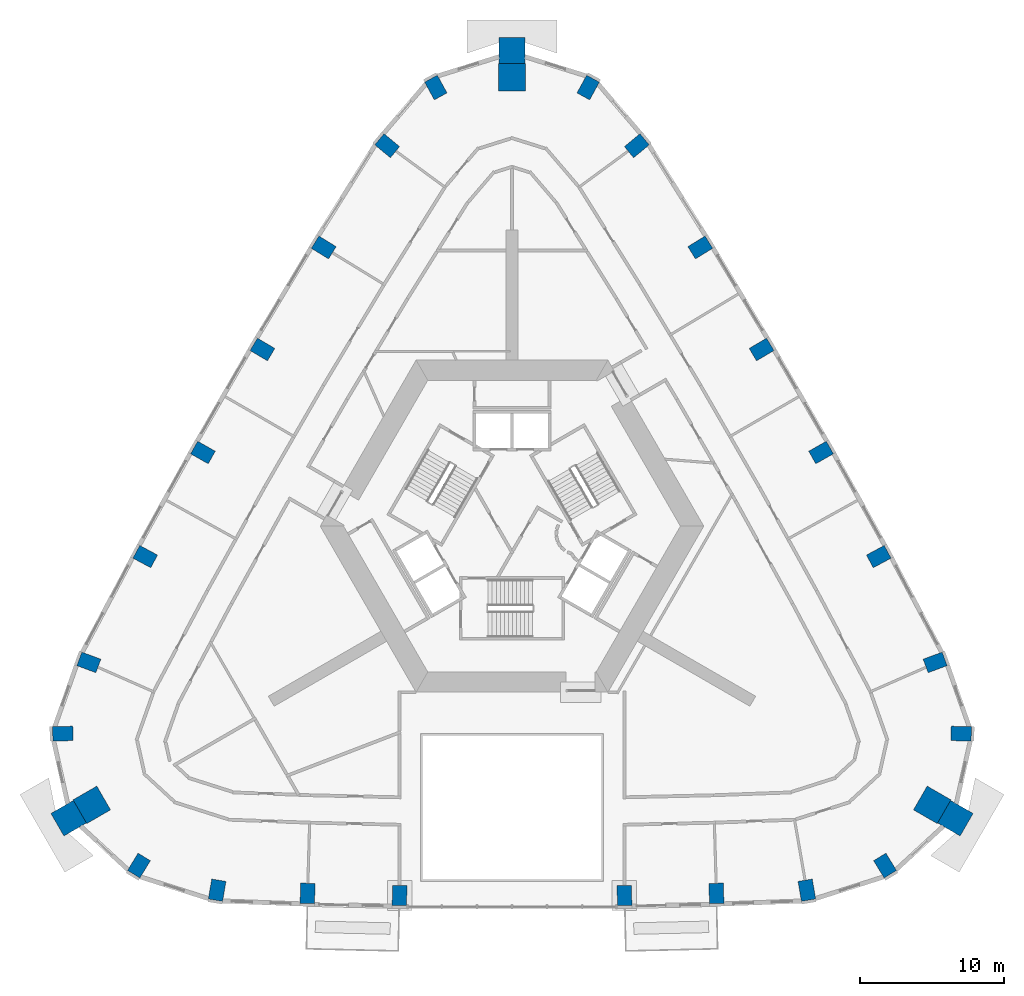
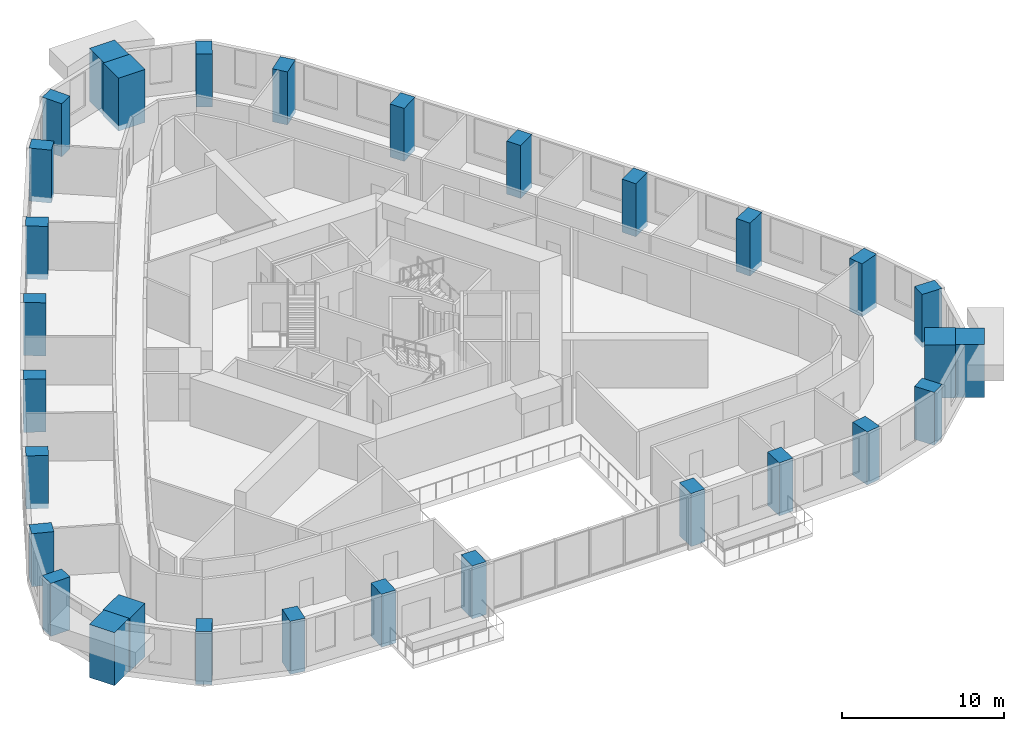
# One storey, part 1 of 13: 30 columns.
"""IFC4 building model written with IfcOpenShell, lengths in metres."""

import ifcopenshell
import ifcopenshell.guid

model = None  # the IFC model being written
_history = None  # IfcOwnerHistory: only IFC2X3 demands one
_inside = {}  # id of a spatial element -> (the spatial element, [elements in it])
_under = {}  # id of a project, library or spatial element -> (it, [spatial elements below it])
_declared = {}  # id of a project -> (the project, [libraries it declares])
_typed = {}  # id of a type object -> (the type object, [elements of that type])
_made_of = {}  # id of a material, layer set ... -> (it, [elements and type objects made of it])


def new_model(schema):
    """Start an empty IFC model of exactly this schema.

    Asked for "IFC4X3", IfcOpenShell would pick the latest addendum, in which some entities
    have other attributes; the version numbers below select the first issue.
    IFC2X3 requires an IfcOwnerHistory on every rooted entity: one is made here for all.
    """
    global model, _history
    if schema == "IFC4X3":
        model = ifcopenshell.file(schema_version=(4, 3, 0, 0))
    else:
        model = ifcopenshell.file(schema=schema)
    _inside.clear()
    _under.clear()
    _declared.clear()
    _typed.clear()
    _made_of.clear()
    _history = None
    if model.schema == "IFC2X3":
        org = make("IfcOrganization", Name="unknown")
        user = make(
            "IfcPersonAndOrganization",
            ThePerson=make("IfcPerson", FamilyName="unknown"),
            TheOrganization=org,
        )
        app = make(
            "IfcApplication",
            ApplicationDeveloper=org,
            Version="unknown",
            ApplicationFullName="unknown",
            ApplicationIdentifier="unknown",
        )
        _history = make(
            "IfcOwnerHistory",
            OwningUser=user,
            OwningApplication=app,
            ChangeAction="ADDED",
            CreationDate=0,
        )
    return model


def make(cls, **values):
    """One entity of the class cls with the attributes given. An attribute that is None is left unset."""
    return model.create_entity(
        cls, **{name: value for name, value in values.items() if value is not None}
    )


def rooted(cls, **values):
    """An entity with a GlobalId (a new one), such as an element, a storey or a relation."""
    return make(cls, GlobalId=ifcopenshell.guid.new(), OwnerHistory=_history, **values)


def si_unit(unit_type, name, prefix=None):
    """IfcSIUnit, for example si_unit("LENGTHUNIT", "METRE", prefix="MILLI")."""
    return make("IfcSIUnit", UnitType=unit_type, Prefix=prefix, Name=name)


def assignment(units):
    """IfcUnitAssignment: the units of a project."""
    return None if units is None else make("IfcUnitAssignment", Units=units)


def point(xyz):
    """IfcCartesianPoint."""
    return None if xyz is None else make("IfcCartesianPoint", Coordinates=xyz)


def direction(xyz):
    """IfcDirection."""
    return None if xyz is None else make("IfcDirection", DirectionRatios=xyz)


def frame(location, z_axis=None, x_axis=None):
    """IfcAxis2Placement3D, a coordinate frame: its origin and axes. An axis left out is left unset."""
    return make(
        "IfcAxis2Placement3D",
        Location=point(location),
        Axis=direction(z_axis),
        RefDirection=direction(x_axis),
    )


def frame_2d(location, x_axis=None):
    """IfcAxis2Placement2D, a coordinate frame in the plane: its origin and x axis."""
    return make(
        "IfcAxis2Placement2D", Location=point(location), RefDirection=direction(x_axis)
    )


def origin():
    """The frame at (0, 0, 0) with its axes left unset."""
    return frame((0.0, 0.0, 0.0))


def origin_2d():
    """The frame at (0, 0) in the plane with its x axis left unset."""
    return frame_2d((0.0, 0.0))


def place(relative_to, where):
    """IfcLocalPlacement: puts the frame where relative to a parent placement (None: the world)."""
    return make(
        "IfcLocalPlacement", PlacementRelTo=relative_to, RelativePlacement=where
    )


def context(
    kind, dimensions, precision=None, world=None, true_north=None, identifier=None
):
    """IfcGeometricRepresentationContext, for example the 3D "Model" context."""
    return make(
        "IfcGeometricRepresentationContext",
        ContextIdentifier=identifier,
        ContextType=kind,
        CoordinateSpaceDimension=dimensions,
        Precision=precision,
        WorldCoordinateSystem=world,
        TrueNorth=true_north,
    )


def subcontext(parent, identifier, kind, view, scale=None):
    """IfcGeometricRepresentationSubContext, for example "Body" below "Model"."""
    return make(
        "IfcGeometricRepresentationSubContext",
        ContextIdentifier=identifier,
        ContextType=kind,
        ParentContext=parent,
        TargetScale=scale,
        TargetView=view,
    )


def project(units=None, contexts=None):
    """IfcProject with its units and contexts."""
    return rooted(
        "IfcProject",
        Name="project",
        RepresentationContexts=contexts,
        UnitsInContext=assignment(units),
    )


def spatial(cls, under=None, at=None, **own):
    """A site, building, storey or space (cls), placed at a placement, below another one or the project."""
    s = rooted(cls, ObjectPlacement=at, **own)
    if under is not None:
        _under.setdefault(under.id(), (under, []))[1].append(s)
    return s


def profile(cls, at=None, kind="AREA", **sizes):
    """A parametric profile (cls). Its sizes go by their IFC names, for example OverallWidth=200.0."""
    return make(cls, ProfileType=kind, Position=at, **sizes)


def rectangle(**sizes):
    """IfcRectangleProfileDef."""
    return profile("IfcRectangleProfileDef", **sizes)


def extrude(swept, where, along, depth):
    """IfcExtrudedAreaSolid: the profile swept, set in the frame where, extruded along a direction by depth."""
    return make(
        "IfcExtrudedAreaSolid",
        SweptArea=swept,
        Position=where,
        ExtrudedDirection=direction(along),
        Depth=depth,
    )


def shape(context_of_items, identifier, shape_type, items):
    """IfcShapeRepresentation: the items that make up one representation, for example the "Body"."""
    return make(
        "IfcShapeRepresentation",
        ContextOfItems=context_of_items,
        RepresentationIdentifier=identifier,
        RepresentationType=shape_type,
        Items=items,
    )


def material(Name=None, Category=None):
    """IfcMaterial."""
    return make("IfcMaterial", Name=Name, Category=Category)


def material_profile(
    of_material, cross_section, Name=None, Category=None, Priority=None
):
    """IfcMaterialProfile: a cross section and its material."""
    return make(
        "IfcMaterialProfile",
        Name=Name,
        Material=of_material,
        Profile=cross_section,
        Priority=Priority,
        Category=Category,
    )


def profile_set(profiles, Name=None, composite=None):
    """IfcMaterialProfileSet."""
    return make(
        "IfcMaterialProfileSet",
        Name=Name,
        MaterialProfiles=profiles,
        CompositeProfile=composite,
    )


def made_of(thing, what):
    """Note that an element or type object is made of a material, layer set ...; save() writes the relation."""
    if what is not None:
        _made_of.setdefault(what.id(), (what, []))[1].append(thing)
    return thing


def type_object(cls, material=None, **own):
    """A type object (cls), such as IfcWallType, which elements share."""
    return made_of(rooted(cls, **own), material)


def element(
    cls,
    number,
    at=None,
    inside=None,
    cuts=None,
    type_object=None,
    material=None,
    context=None,
    identifier="Body",
    shape_type=None,
    held_by="IfcProductDefinitionShape",
    body=None,
    shapes=None,
    **own,
):
    """One element of the class cls, such as IfcWall. Its Tag is "e" and its number.

    at: its placement. inside: the storey or other place that contains it. cuts: it is an
    opening in that element (IfcRelVoidsElement). A single representation is given by context,
    identifier, shape_type and body (its items); several are given by shapes. held_by: the class
    of the entity that holds the representations. save() writes the other relations.
    """
    e = rooted(cls, Tag="e%d" % number, ObjectPlacement=at, **own)
    if body is not None:
        shapes = [shape(context, identifier, shape_type, body)]
    if shapes is not None:
        e.Representation = make(held_by, Representations=shapes)
    if inside is not None:
        _inside.setdefault(inside.id(), (inside, []))[1].append(e)
    if cuts is not None:
        rooted(
            "IfcRelVoidsElement", RelatingBuildingElement=cuts, RelatedOpeningElement=e
        )
    if type_object is not None:
        _typed.setdefault(type_object.id(), (type_object, []))[1].append(e)
    return made_of(e, material)


def aggregate(whole, parts):
    """IfcRelAggregates: a whole, such as a stair, and the parts it consists of."""
    return rooted("IfcRelAggregates", RelatingObject=whole, RelatedObjects=parts)


def save(model, path):
    """Write the relations noted so far, then the file.

    IfcRelAggregates (storeys below a building ...), IfcRelContainedInSpatialStructure (elements
    in a storey), IfcRelDefinesByType, IfcRelAssociatesMaterial and IfcRelDeclares: one each for
    every whole, place, type object, material and project.
    """
    for whole, parts in _under.values():
        aggregate(whole, parts)
    for where, things in _inside.values():
        rooted(
            "IfcRelContainedInSpatialStructure",
            RelatedElements=things,
            RelatingStructure=where,
        )
    for kind, things in _typed.values():
        rooted("IfcRelDefinesByType", RelatedObjects=things, RelatingType=kind)
    for what, things in _made_of.values():
        rooted("IfcRelAssociatesMaterial", RelatedObjects=things, RelatingMaterial=what)
    for by, libraries in _declared.values():
        rooted("IfcRelDeclares", RelatingContext=by, RelatedDefinitions=libraries)
    model.write(path)


model = new_model("IFC4")

# Units and contexts
model_context = context("Model", 3, precision=1e-05, world=origin(), true_north=direction((0.0, 1.0)))
body_context = subcontext(model_context, "Body", "Model", "MODEL_VIEW")
ifc_project = project(units=[si_unit("LENGTHUNIT", "METRE"), si_unit("AREAUNIT", "SQUARE_METRE"), si_unit("VOLUMEUNIT", "CUBIC_METRE"), si_unit("PLANEANGLEUNIT", "RADIAN"), si_unit("MASSUNIT", "GRAM", prefix="KILO")], contexts=[model_context])

# Site, building, storey
site_placement = place(None, origin())
site = spatial("IfcSite", under=ifc_project, at=site_placement, CompositionType="ELEMENT")
building_placement = place(site_placement, origin())
building = spatial("IfcBuilding", under=site, at=building_placement, Name="Entoto Arch Interchange Tower", CompositionType="ELEMENT")
storey_placement = place(building_placement, frame((0.0, 0.0, 231.800048828125)))
storey = spatial("IfcBuildingStorey", under=building, at=storey_placement, Name="L52", CompositionType="ELEMENT", Elevation=231.800048828125)

# Columns
ifc_material_1 = material(Name="Concrete C50/60", Category="concrete")
ifc_material_profile_1 = material_profile(ifc_material_1, rectangle(XDim=1.0, YDim=1.39990234375, at=origin_2d()))
ifc_profile_set_1 = profile_set([ifc_material_profile_1], Name="Concrete C50/60")
column_type_1 = type_object("IfcColumnType", Name="Column RC 1000x1400 C50/60", PredefinedType="COLUMN", material=ifc_profile_set_1)
for number, where, z_axis, x_axis, name in (
    (1, (-20.4169921875, -22.7080078125, -0.400146484375), (0.0, 0.0, 1.0), (-0.985541276773, 0.169435509195, 0.0), "Column S01 L52"),
    (2, (-14.154052734375, -22.930908203125, -0.400146484375), (0.0, 0.0, 1.0), (-0.999420902032, 0.034027350502, 0.0), "Column S02 L52"),
    (3, (-7.7880859375, -23.077880859375, -0.400146484375), (0.0, 0.0, 1.0), (-0.999913181484, 0.013176854508, 0.0), "Column S03 L52"),
    (4, (7.7880859375, -23.077880859375, -0.400146484375), (0.0, 0.0, 1.0), (0.999913181484, 0.013176854508, 0.0), "Column S04 L52"),
    (5, (14.154052734375, -22.930908203125, -0.400146484375), (0.0, 0.0, 1.0), (0.999420902032, 0.034027350502, 0.0), "Column S05 L52"),
    (6, (20.4169921875, -22.7080078125, -0.400146484375), (0.0, 0.0, 1.0), (0.985541276773, 0.169435509195, 0.0), "Column S06 L52"),
    (7, (25.830078125, -21.0029296875, -0.400146484375), (0.0, 0.0, 1.0), (0.853423465127, 0.521218178089, 0.0), "Column SE1 L52"),
    (8, (31.10400390625, -11.867919921875, -0.400146484375), (0.0, 0.0, 1.0), (0.024676450576, 0.99969549003, 0.0), "Column SE3 L52"),
    (9, (29.299072265625, -6.93603515625, -0.400146484375), (0.0, 0.0, 1.0), (-0.34706660219, 0.937840484114, 0.0), "Column NE01 L52"),
    (10, (25.39501953125, 0.39111328125, -0.400146484375), (0.0, 0.0, 1.0), (-0.474134310084, 0.880452529102, 0.0), "Column NE02 L52"),
    (11, (21.39990234375, 7.59912109375, -0.400146484375), (0.0, 0.0, 1.0), (-0.491435856222, 0.870913772551, 0.0), "Column NE03 L52"),
    (12, (17.280029296875, 14.73291015625, -0.400146484375), (0.0, 0.0, 1.0), (-0.508515523424, 0.861052822095, 0.0), "Column NE04 L52"),
    (13, (13.035888671875, 21.797119140625, -0.400146484375), (0.0, 0.0, 1.0), (-0.525427101986, 0.850838621889, 0.0), "Column NE05 L52"),
    (14, (8.64208984375, 28.842041015625, -0.400146484375), (0.0, 0.0, 1.0), (-0.638660382845, 0.769488736359, 0.0), "Column NE06 L52"),
    (15, (5.27392578125, 32.87109375, -0.400146484375), (0.0, 0.0, 1.0), (-0.878099915703, 0.478477311941, 0.0), "Column N1 L52"),
    (16, (-5.27392578125, 32.87109375, -0.400146484375), (0.0, 0.0, 1.0), (0.878099915703, 0.478477311941, 0.0), "Column N3 L52"),
    (17, (-8.64208984375, 28.842041015625, -0.400146484375), (0.0, 0.0, 1.0), (0.638660382845, 0.769488736359, 0.0), "Column NW01 L52"),
    (18, (-13.035888671875, 21.797119140625, -0.400146484375), (0.0, 0.0, 1.0), (0.525427101986, 0.850838621889, 0.0), "Column NW02 L52"),
    (19, (-17.280029296875, 14.73291015625, -0.400146484375), (0.0, 0.0, 1.0), (0.508515523424, 0.861052822095, 0.0), "Column NW03 L52"),
    (20, (-21.39990234375, 7.59912109375, -0.400146484375), (0.0, 0.0, 1.0), (0.491435856222, 0.870913772551, 0.0), "Column NW04 L52"),
    (21, (-25.39501953125, 0.39111328125, -0.400146484375), (0.0, 0.0, 1.0), (0.474134310084, 0.880452529102, 0.0), "Column NW05 L52"),
    (22, (-29.299072265625, -6.93603515625, -0.400146484375), (0.0, 0.0, 1.0), (0.34706660219, 0.937840484114, 0.0), "Column NW06 L52"),
    (23, (-31.10400390625, -11.867919921875, -0.400146484375), (0.0, 0.0, 1.0), (-0.024676450576, 0.99969549003, 0.0), "Column SW1 L52"),
    (24, (-25.830078125, -21.0029296875, -0.400146484375), (0.0, 0.0, 1.0), (-0.853423465127, 0.521218178089, 0.0), "Column SW3 L52"),
):
    element("IfcColumn", number, at=place(storey_placement, frame(where, z_axis=z_axis, x_axis=x_axis)), inside=storey, type_object=column_type_1, Name=name, PredefinedType="COLUMN", context=body_context, shape_type="SweptSolid", body=[
        extrude(rectangle(XDim=1.0, YDim=1.39990234375, at=origin_2d()), origin(), (0.0, 0.0, 1.0), 4.0),
    ])
ifc_material_2 = material(Name="Precast concrete C40/50", Category="concrete")
ifc_material_profile_2 = material_profile(ifc_material_2, rectangle(XDim=1.800048828125, YDim=1.800048828125, at=origin_2d()))
ifc_profile_set_2 = profile_set([ifc_material_profile_2], Name="Precast concrete C40/50")
column_type_2 = type_object("IfcColumnType", Name="Frame post RC 1800x1800 precast C40/50", PredefinedType="COLUMN", material=ifc_profile_set_2)
for number, where, z_axis, x_axis, name in (
    (25, (30.698974609375, -17.72412109375, -0.400146484375), (0.0, 0.0, 1.0), (-0.866025403784, 0.5, 0.0), "Frame post SE L52"),
    (26, (0.0, 35.447998046875, -0.400146484375), (0.0, 0.0, 1.0), (0.0, 1.0, 0.0), "Frame post N L52"),
    (27, (-30.698974609375, -17.72412109375, -0.400146484375), (0.0, 0.0, 1.0), (0.866025403784, 0.5, 0.0), "Frame post SW L52"),
):
    element("IfcColumn", number, at=place(storey_placement, frame(where, z_axis=z_axis, x_axis=x_axis)), inside=storey, type_object=column_type_2, Name=name, PredefinedType="COLUMN", context=body_context, shape_type="SweptSolid", body=[
        extrude(rectangle(XDim=1.800048828125, YDim=1.800048828125, at=origin_2d()), origin(), (0.0, 0.0, 1.0), 4.0),
    ])
ifc_material_profile_3 = material_profile(ifc_material_1, rectangle(XDim=1.89990234375, YDim=1.89990234375, at=origin_2d()))
ifc_profile_set_3 = profile_set([ifc_material_profile_3], Name="Concrete C50/60")
column_type_3 = type_object("IfcColumnType", Name="Mega column RC 1900x1900 C50/60", PredefinedType="COLUMN", material=ifc_profile_set_3)
for number, where, z_axis, x_axis, name in (
    (28, (29.096923828125, -16.799072265625, -0.400146484375), (0.0, 0.0, 1.0), (-0.866025403784, 0.5, 0.0), "Corner mega column SE2 L52"),
    (29, (0.0, 33.597900390625, -0.400146484375), (0.0, 0.0, 1.0), (0.0, 1.0, 0.0), "Corner mega column N2 L52"),
    (30, (-29.096923828125, -16.799072265625, -0.400146484375), (0.0, 0.0, 1.0), (0.866025403784, 0.5, 0.0), "Corner mega column SW2 L52"),
):
    element("IfcColumn", number, at=place(storey_placement, frame(where, z_axis=z_axis, x_axis=x_axis)), inside=storey, type_object=column_type_3, Name=name, PredefinedType="COLUMN", context=body_context, shape_type="SweptSolid", body=[
        extrude(rectangle(XDim=1.89990234375, YDim=1.89990234375, at=origin_2d()), origin(), (0.0, 0.0, 1.0), 4.0),
    ])

save(model, "model.ifc")
